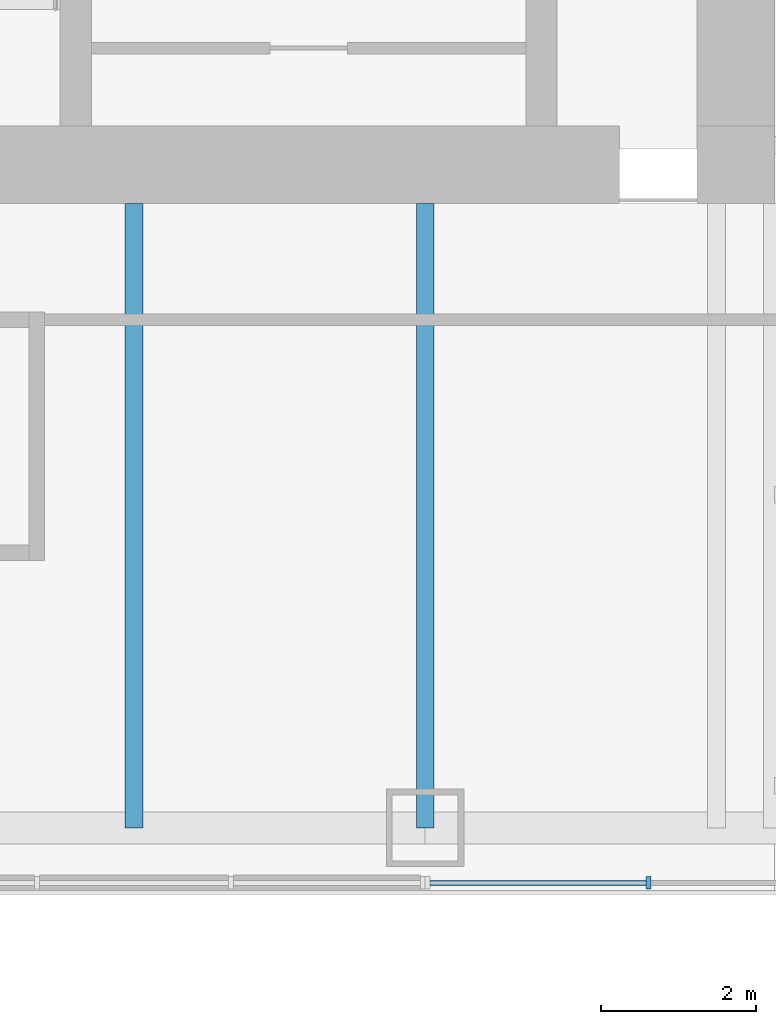
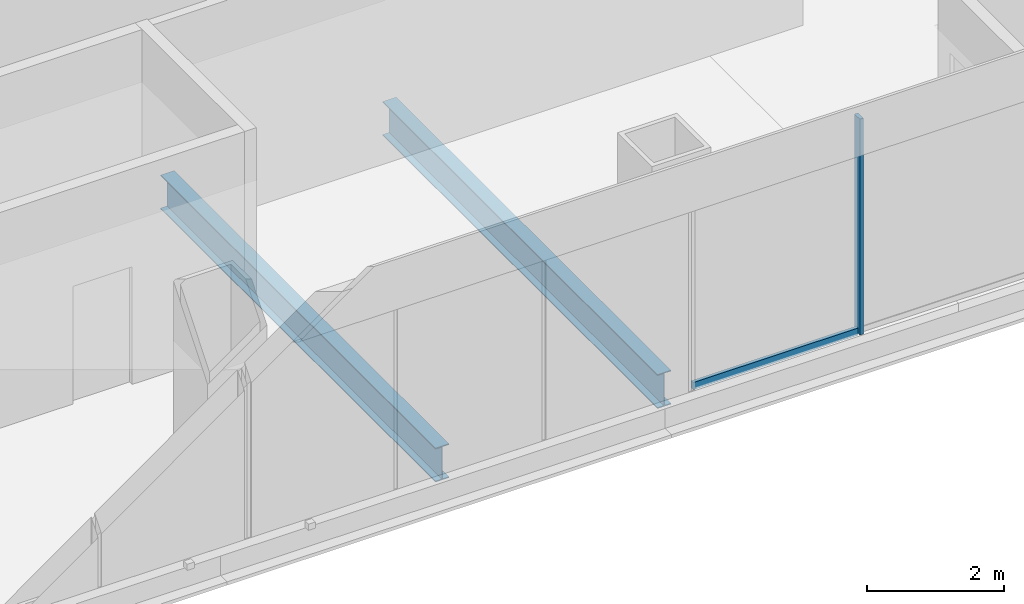
# One storey, part 3 of 14: 2 beams, 2 members, 1 element without a shape of its own.
"""IFC4 building model written with IfcOpenShell, lengths in metres."""

from ifc_helpers import new_model, si_unit, direction, frame, origin, origin_2d, place, context, subcontext, project, spatial, rectangle, i_section, extrude, material, material_profile, profile_set, type_object, element, aggregate, save


model = new_model("IFC4")

# Units and contexts
model_context = context("Model", 3, precision=1e-05, world=origin(), true_north=direction((0.0, 1.0)))
body_context = subcontext(model_context, "Body", "Model", "MODEL_VIEW")
ifc_project = project(units=[si_unit("LENGTHUNIT", "METRE"), si_unit("AREAUNIT", "SQUARE_METRE"), si_unit("VOLUMEUNIT", "CUBIC_METRE"), si_unit("PLANEANGLEUNIT", "RADIAN"), si_unit("MASSUNIT", "GRAM", prefix="KILO")], contexts=[model_context])

# Site, building, storey
site_placement = place(None, origin())
site = spatial("IfcSite", under=ifc_project, at=site_placement, CompositionType="ELEMENT")
building_placement = place(site_placement, origin())
building = spatial("IfcBuilding", under=site, at=building_placement, Name="Tarangal Relay Tower", CompositionType="ELEMENT")
storey_placement = place(building_placement, frame((0.0, 0.0, 279.89990234375)))
storey = spatial("IfcBuildingStorey", under=building, at=storey_placement, Name="L61", CompositionType="ELEMENT", Elevation=279.89990234375)

# Beams
ifc_material_1 = material(Name="Steel ASTM A992", Category="steel")
ifc_material_profile_1 = material_profile(ifc_material_1, i_section(OverallWidth=0.228271484375, OverallDepth=0.607177734375, WebThickness=0.01123046875, FlangeThickness=0.017333984375, at=origin_2d()), Name="W24X76")
ifc_profile_set_1 = profile_set([ifc_material_profile_1], Name="Steel ASTM A992")
beam_type = type_object("IfcBeamType", Name="Floor beam W24X76", PredefinedType="BEAM", material=ifc_profile_set_1)
for number, where, z_axis, x_axis, name in (
    (1, (7.5, -12.0, -0.453369140625), (0.0, -1.0, 0.0), (1.0, 0.0, 0.0), "Floor beam RB5 S L61"),
    (2, (3.75, -12.0, -0.453369140625), (0.0, -1.0, 0.0), (1.0, 0.0, 0.0), "Floor beam RB5 S L61"),
):
    element("IfcBeam", number, at=place(storey_placement, frame(where, z_axis=z_axis, x_axis=x_axis)), inside=storey, type_object=beam_type, Name=name, PredefinedType="BEAM", context=body_context, shape_type="SweptSolid", body=[
        extrude(i_section(OverallWidth=0.228271484375, OverallDepth=0.607177734375, WebThickness=0.01123046875, FlangeThickness=0.017333984375, at=origin_2d()), origin(), (0.0, 0.0, 1.0), 8.0400390625),
    ])

# Curtain wall, members
ifc_material_2 = material(Name="Unitised curtain wall, dark glass and black aluminium", Category="aluminium")
curtain_wall_type = type_object("IfcCurtainWallType", Name="Curtain wall CW-B", PredefinedType="USERDEFINED", material=ifc_material_2)
curtain_wall_placement = place(storey_placement, origin())
curtain_wall = element("IfcCurtainWall", 3, at=curtain_wall_placement, inside=storey, type_object=curtain_wall_type, Name="Curtain wall CW-B S facade L61", ObjectType="UNITISED CURTAIN WALL", PredefinedType="USERDEFINED")
ifc_material_3 = material(Name="Black anodised aluminium mullion", Category="aluminium")
ifc_material_profile_2 = material_profile(ifc_material_3, rectangle(XDim=0.159912109375, YDim=0.06005859375, at=origin_2d()), Name="CW-BM 60X160")
ifc_profile_set_2 = profile_set([ifc_material_profile_2], Name="Black anodised aluminium mullion")
member_type_1 = type_object("IfcMemberType", Name="Mullion CW-B 60 x 160", PredefinedType="MULLION", material=ifc_profile_set_2)
member_1_placement = place(storey_placement, frame((10.375, -20.75, 0.0), z_axis=(0.0, 0.0, 1.0), x_axis=(0.0, -1.0, 0.0)))
member_1 = element("IfcMember", 4, at=member_1_placement, type_object=member_type_1, Name="CW-B mullion 2", PredefinedType="MULLION", context=body_context, shape_type="SweptSolid", body=[
    extrude(rectangle(XDim=0.159912109375, YDim=0.06005859375, at=origin_2d()), origin(), (0.0, 0.0, 1.0), 3.85009765625),
])
ifc_material_4 = material(Name="Black anodised aluminium transom", Category="aluminium")
ifc_material_profile_3 = material_profile(ifc_material_4, rectangle(XDim=0.06005859375, YDim=0.1298828125, at=origin_2d()), Name="CW-BT 60X130")
ifc_profile_set_3 = profile_set([ifc_material_profile_3], Name="Black anodised aluminium transom")
member_type_2 = type_object("IfcMemberType", Name="Transom CW-B 60 x 130", PredefinedType="USERDEFINED", material=ifc_profile_set_3)
member_2_placement = place(storey_placement, frame((10.344970703125, -20.75, 0.030029296875), z_axis=(-1.0, 0.0, 0.0), x_axis=(0.0, -1.0, 0.0)))
member_2 = element("IfcMember", 5, at=member_2_placement, type_object=member_type_2, Name="CW-B transom 2.1", ObjectType="TRANSOM", PredefinedType="USERDEFINED", context=body_context, shape_type="SweptSolid", body=[
    extrude(rectangle(XDim=0.06005859375, YDim=0.1298828125, at=origin_2d()), origin(), (0.0, 0.0, 1.0), 2.784912109375),
])
aggregate(curtain_wall, [member_1, member_2])

save(model, "model.ifc")
